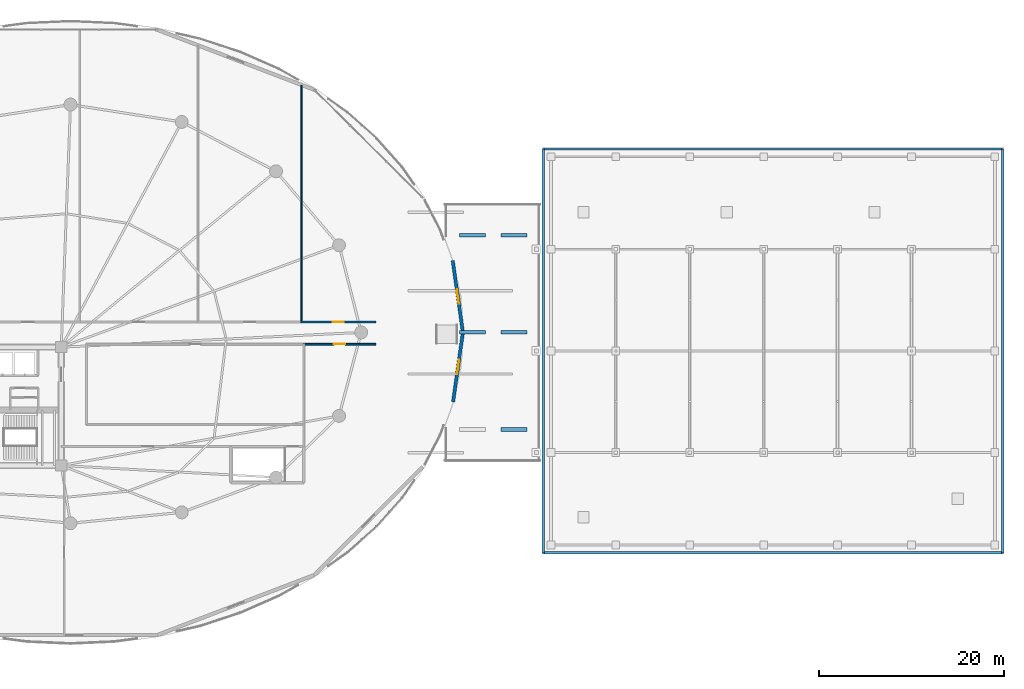
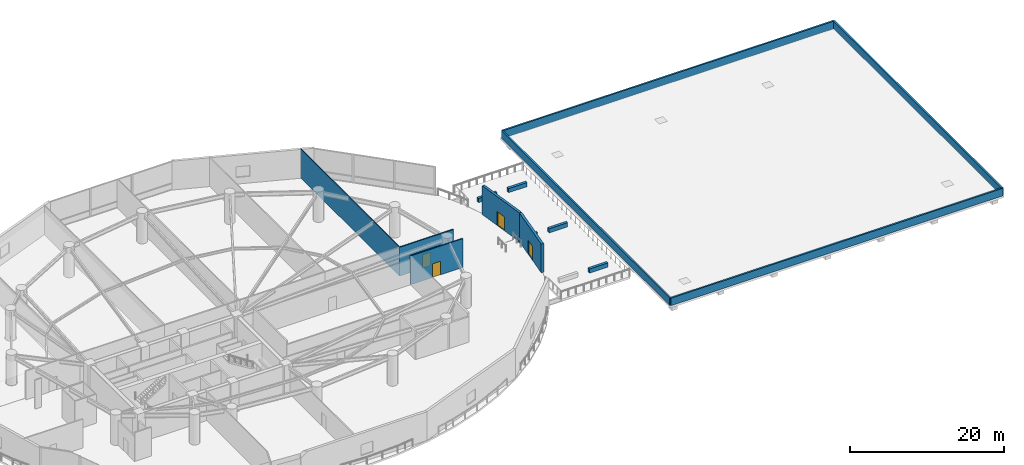
# One storey, part 19 of 26: 14 walls, 4 doors, 4 openings.
"""IFC4 building model written with IfcOpenShell, lengths in metres."""

import ifcopenshell
import ifcopenshell.guid

model = None  # the IFC model being written
_history = None  # IfcOwnerHistory: only IFC2X3 demands one
_inside = {}  # id of a spatial element -> (the spatial element, [elements in it])
_under = {}  # id of a project, library or spatial element -> (it, [spatial elements below it])
_declared = {}  # id of a project -> (the project, [libraries it declares])
_typed = {}  # id of a type object -> (the type object, [elements of that type])
_made_of = {}  # id of a material, layer set ... -> (it, [elements and type objects made of it])


def new_model(schema):
    """Start an empty IFC model of exactly this schema.

    Asked for "IFC4X3", IfcOpenShell would pick the latest addendum, in which some entities
    have other attributes; the version numbers below select the first issue.
    IFC2X3 requires an IfcOwnerHistory on every rooted entity: one is made here for all.
    """
    global model, _history
    if schema == "IFC4X3":
        model = ifcopenshell.file(schema_version=(4, 3, 0, 0))
    else:
        model = ifcopenshell.file(schema=schema)
    _inside.clear()
    _under.clear()
    _declared.clear()
    _typed.clear()
    _made_of.clear()
    _history = None
    if model.schema == "IFC2X3":
        org = make("IfcOrganization", Name="unknown")
        user = make(
            "IfcPersonAndOrganization",
            ThePerson=make("IfcPerson", FamilyName="unknown"),
            TheOrganization=org,
        )
        app = make(
            "IfcApplication",
            ApplicationDeveloper=org,
            Version="unknown",
            ApplicationFullName="unknown",
            ApplicationIdentifier="unknown",
        )
        _history = make(
            "IfcOwnerHistory",
            OwningUser=user,
            OwningApplication=app,
            ChangeAction="ADDED",
            CreationDate=0,
        )
    return model


def make(cls, **values):
    """One entity of the class cls with the attributes given. An attribute that is None is left unset."""
    return model.create_entity(
        cls, **{name: value for name, value in values.items() if value is not None}
    )


def rooted(cls, **values):
    """An entity with a GlobalId (a new one), such as an element, a storey or a relation."""
    return make(cls, GlobalId=ifcopenshell.guid.new(), OwnerHistory=_history, **values)


def si_unit(unit_type, name, prefix=None):
    """IfcSIUnit, for example si_unit("LENGTHUNIT", "METRE", prefix="MILLI")."""
    return make("IfcSIUnit", UnitType=unit_type, Prefix=prefix, Name=name)


def assignment(units):
    """IfcUnitAssignment: the units of a project."""
    return None if units is None else make("IfcUnitAssignment", Units=units)


def point(xyz):
    """IfcCartesianPoint."""
    return None if xyz is None else make("IfcCartesianPoint", Coordinates=xyz)


def direction(xyz):
    """IfcDirection."""
    return None if xyz is None else make("IfcDirection", DirectionRatios=xyz)


def frame(location, z_axis=None, x_axis=None):
    """IfcAxis2Placement3D, a coordinate frame: its origin and axes. An axis left out is left unset."""
    return make(
        "IfcAxis2Placement3D",
        Location=point(location),
        Axis=direction(z_axis),
        RefDirection=direction(x_axis),
    )


def frame_2d(location, x_axis=None):
    """IfcAxis2Placement2D, a coordinate frame in the plane: its origin and x axis."""
    return make(
        "IfcAxis2Placement2D", Location=point(location), RefDirection=direction(x_axis)
    )


def origin():
    """The frame at (0, 0, 0) with its axes left unset."""
    return frame((0.0, 0.0, 0.0))


def place(relative_to, where):
    """IfcLocalPlacement: puts the frame where relative to a parent placement (None: the world)."""
    return make(
        "IfcLocalPlacement", PlacementRelTo=relative_to, RelativePlacement=where
    )


def context(
    kind, dimensions, precision=None, world=None, true_north=None, identifier=None
):
    """IfcGeometricRepresentationContext, for example the 3D "Model" context."""
    return make(
        "IfcGeometricRepresentationContext",
        ContextIdentifier=identifier,
        ContextType=kind,
        CoordinateSpaceDimension=dimensions,
        Precision=precision,
        WorldCoordinateSystem=world,
        TrueNorth=true_north,
    )


def subcontext(parent, identifier, kind, view, scale=None):
    """IfcGeometricRepresentationSubContext, for example "Body" below "Model"."""
    return make(
        "IfcGeometricRepresentationSubContext",
        ContextIdentifier=identifier,
        ContextType=kind,
        ParentContext=parent,
        TargetScale=scale,
        TargetView=view,
    )


def project(units=None, contexts=None):
    """IfcProject with its units and contexts."""
    return rooted(
        "IfcProject",
        Name="project",
        RepresentationContexts=contexts,
        UnitsInContext=assignment(units),
    )


def spatial(cls, under=None, at=None, **own):
    """A site, building, storey or space (cls), placed at a placement, below another one or the project."""
    s = rooted(cls, ObjectPlacement=at, **own)
    if under is not None:
        _under.setdefault(under.id(), (under, []))[1].append(s)
    return s


def profile(cls, at=None, kind="AREA", **sizes):
    """A parametric profile (cls). Its sizes go by their IFC names, for example OverallWidth=200.0."""
    return make(cls, ProfileType=kind, Position=at, **sizes)


def rectangle(**sizes):
    """IfcRectangleProfileDef."""
    return profile("IfcRectangleProfileDef", **sizes)


def extrude(swept, where, along, depth):
    """IfcExtrudedAreaSolid: the profile swept, set in the frame where, extruded along a direction by depth."""
    return make(
        "IfcExtrudedAreaSolid",
        SweptArea=swept,
        Position=where,
        ExtrudedDirection=direction(along),
        Depth=depth,
    )


def shape(context_of_items, identifier, shape_type, items):
    """IfcShapeRepresentation: the items that make up one representation, for example the "Body"."""
    return make(
        "IfcShapeRepresentation",
        ContextOfItems=context_of_items,
        RepresentationIdentifier=identifier,
        RepresentationType=shape_type,
        Items=items,
    )


def material(Name=None, Category=None):
    """IfcMaterial."""
    return make("IfcMaterial", Name=Name, Category=Category)


def layer(
    of_material, thickness, ventilated=None, Name=None, Category=None, Priority=None
):
    """IfcMaterialLayer: one layer of a wall or slab, of a material (None: an air gap)."""
    return make(
        "IfcMaterialLayer",
        Material=of_material,
        LayerThickness=thickness,
        IsVentilated=ventilated,
        Name=Name,
        Category=Category,
        Priority=Priority,
    )


def layer_set(layers, Name=None):
    """IfcMaterialLayerSet."""
    return make("IfcMaterialLayerSet", MaterialLayers=layers, LayerSetName=Name)


def made_of(thing, what):
    """Note that an element or type object is made of a material, layer set ...; save() writes the relation."""
    if what is not None:
        _made_of.setdefault(what.id(), (what, []))[1].append(thing)
    return thing


def type_object(cls, material=None, **own):
    """A type object (cls), such as IfcWallType, which elements share."""
    return made_of(rooted(cls, **own), material)


def element(
    cls,
    number,
    at=None,
    inside=None,
    cuts=None,
    type_object=None,
    material=None,
    context=None,
    identifier="Body",
    shape_type=None,
    held_by="IfcProductDefinitionShape",
    body=None,
    shapes=None,
    **own,
):
    """One element of the class cls, such as IfcWall. Its Tag is "e" and its number.

    at: its placement. inside: the storey or other place that contains it. cuts: it is an
    opening in that element (IfcRelVoidsElement). A single representation is given by context,
    identifier, shape_type and body (its items); several are given by shapes. held_by: the class
    of the entity that holds the representations. save() writes the other relations.
    """
    e = rooted(cls, Tag="e%d" % number, ObjectPlacement=at, **own)
    if body is not None:
        shapes = [shape(context, identifier, shape_type, body)]
    if shapes is not None:
        e.Representation = make(held_by, Representations=shapes)
    if inside is not None:
        _inside.setdefault(inside.id(), (inside, []))[1].append(e)
    if cuts is not None:
        rooted(
            "IfcRelVoidsElement", RelatingBuildingElement=cuts, RelatedOpeningElement=e
        )
    if type_object is not None:
        _typed.setdefault(type_object.id(), (type_object, []))[1].append(e)
    return made_of(e, material)


def fill(opening, filler):
    """IfcRelFillsElement: the door or window that sits in an opening."""
    return rooted(
        "IfcRelFillsElement",
        RelatingOpeningElement=opening,
        RelatedBuildingElement=filler,
    )


def aggregate(whole, parts):
    """IfcRelAggregates: a whole, such as a stair, and the parts it consists of."""
    return rooted("IfcRelAggregates", RelatingObject=whole, RelatedObjects=parts)


def save(model, path):
    """Write the relations noted so far, then the file.

    IfcRelAggregates (storeys below a building ...), IfcRelContainedInSpatialStructure (elements
    in a storey), IfcRelDefinesByType, IfcRelAssociatesMaterial and IfcRelDeclares: one each for
    every whole, place, type object, material and project.
    """
    for whole, parts in _under.values():
        aggregate(whole, parts)
    for where, things in _inside.values():
        rooted(
            "IfcRelContainedInSpatialStructure",
            RelatedElements=things,
            RelatingStructure=where,
        )
    for kind, things in _typed.values():
        rooted("IfcRelDefinesByType", RelatedObjects=things, RelatingType=kind)
    for what, things in _made_of.values():
        rooted("IfcRelAssociatesMaterial", RelatedObjects=things, RelatingMaterial=what)
    for by, libraries in _declared.values():
        rooted("IfcRelDeclares", RelatingContext=by, RelatedDefinitions=libraries)
    model.write(path)


model = new_model("IFC4")

# Units and contexts
model_context = context("Model", 3, precision=1e-05, world=origin(), true_north=direction((0.0, 1.0)))
body_context = subcontext(model_context, "Body", "Model", "MODEL_VIEW")
ifc_project = project(units=[si_unit("LENGTHUNIT", "METRE"), si_unit("AREAUNIT", "SQUARE_METRE"), si_unit("VOLUMEUNIT", "CUBIC_METRE"), si_unit("PLANEANGLEUNIT", "RADIAN"), si_unit("MASSUNIT", "GRAM", prefix="KILO")], contexts=[model_context])

# Site, building, storey
site_placement = place(None, origin())
site = spatial("IfcSite", under=ifc_project, at=site_placement, CompositionType="ELEMENT")
building_placement = place(site_placement, origin())
building = spatial("IfcBuilding", under=site, at=building_placement, Name="Kazevale Care Tower and Concert Hall", CompositionType="ELEMENT")
storey_placement = place(building_placement, frame((0.0, 0.0, 19.199951171875)))
storey = spatial("IfcBuildingStorey", under=building, at=storey_placement, Name="L04", CompositionType="ELEMENT", Elevation=19.199951171875)

# Wall
ifc_material_1 = material(Name="Acoustic Gypsum on Steel Stud", Category="steel")
ifc_layer_1 = layer(ifc_material_1, 0.139892578125)
ifc_layer_set_1 = layer_set([ifc_layer_1], Name="Acoustic Gypsum on Steel Stud")
wall_type_1 = type_object("IfcWallType", Name="Acoustic Care & Suite Partition 140", PredefinedType="PARTITIONING", material=ifc_layer_set_1)
wall_1_placement = place(storey_placement, frame((70.0, 64.764404296875, 0.0), z_axis=(0.0, 0.0, 1.0), x_axis=(0.0, -1.0, 0.0)))
element("IfcWall", 1, at=wall_1_placement, inside=storey, type_object=wall_type_1, Name="wall:L04:auto_021", PredefinedType="PARTITIONING", context=body_context, shape_type="SweptSolid", body=[
    extrude(rectangle(XDim=25.66943359375, YDim=0.139892578125, at=frame_2d((12.834716796875, 0.0))), origin(), (0.0, 0.0, 1.0), 4.56005859375),
])

# Wall, opening, door
ifc_material_2 = material(Name="Concrete C40 and Acoustic Gypsum", Category="concrete")
ifc_layer_2 = layer(ifc_material_2, 0.179931640625)
ifc_layer_set_2 = layer_set([ifc_layer_2], Name="Concrete C40 and Acoustic Gypsum")
wall_type_2 = type_object("IfcWallType", Name="Fire-Rated Corridor & Party Wall 180", PredefinedType="PARTITIONING", material=ifc_layer_set_2)
wall_2_placement = place(storey_placement, frame((69.93505859375, 39.125, 0.0), z_axis=(0.0, 0.0, 1.0), x_axis=(1.0, 0.0, 0.0)))
wall_2 = element("IfcWall", 2, at=wall_2_placement, inside=storey, type_object=wall_type_2, Name="wall:L04:auto_006", PredefinedType="PARTITIONING", context=body_context, shape_type="SweptSolid", body=[
    extrude(rectangle(XDim=8.094970703125, YDim=0.179931640625, at=frame_2d((4.04736328125, 0.0))), origin(), (0.0, 0.0, 1.0), 4.56005859375),
])
opening_1_placement = place(wall_2_placement, frame((3.447998046875, 0.0, 0.0)))
opening_1 = element("IfcOpeningElement", 3, at=opening_1_placement, cuts=wall_2, Name="Opening ID-1200", PredefinedType="OPENING", context=body_context, shape_type="SweptSolid", body=[
    extrude(rectangle(XDim=1.199951171875, YDim=2.14990234375, at=frame_2d((0.60009765625, 1.074951171875))), frame((0.0, 0.099853515625, 0.0), z_axis=(0.0, -1.0, 0.0), x_axis=(1.0, 0.0, 0.0)), (0.0, 0.0, 1.0), 0.199951171875),
])
ifc_material_3 = material(Name="Oak Timber Fire Leaf", Category="wood")
door_type_1 = type_object("IfcDoorType", Name="Clinical & Therapy Door 1200x2150", OperationType="NOTDEFINED", PredefinedType="DOOR", material=ifc_material_3)
door_1_placement = place(opening_1_placement, origin())
door_1 = element("IfcDoor", 4, at=door_1_placement, inside=storey, type_object=door_type_1, Name="door:L04:ad_006", OperationType="SINGLE_SWING_LEFT", OverallHeight=2.14990234375, OverallWidth=1.199951171875, PredefinedType="DOOR", context=body_context, shape_type="SweptSolid", body=[
    extrude(rectangle(XDim=1.199951171875, YDim=2.14990234375, at=frame_2d((0.60009765625, 1.074951171875))), frame((0.0, 0.02490234375, 0.0), z_axis=(0.0, -1.0, 0.0), x_axis=(1.0, 0.0, 0.0)), (0.0, 0.0, 1.0), 0.050048828125),
])
fill(opening_1, door_1)

wall_3_placement = place(storey_placement, frame((78.030029296875, 36.72509765625, 0.0), z_axis=(0.0, 0.0, 1.0), x_axis=(-1.0, 0.0, 0.0)))
wall_3 = element("IfcWall", 5, at=wall_3_placement, inside=storey, type_object=wall_type_2, Name="wall:L04:auto_011", PredefinedType="PARTITIONING", context=body_context, shape_type="SweptSolid", body=[
    extrude(rectangle(XDim=7.844970703125, YDim=0.179931640625, at=frame_2d((3.92236328125, 0.0))), origin(), (0.0, 0.0, 1.0), 4.56005859375),
])
opening_2_placement = place(wall_3_placement, frame((3.322021484375, 0.0, 0.0)))
opening_2 = element("IfcOpeningElement", 6, at=opening_2_placement, cuts=wall_3, Name="Opening ID-1200", PredefinedType="OPENING", context=body_context, shape_type="SweptSolid", body=[
    extrude(rectangle(XDim=1.199951171875, YDim=2.14990234375, at=frame_2d((0.60009765625, 1.074951171875))), frame((0.0, 0.099853515625, 0.0), z_axis=(0.0, -1.0, 0.0), x_axis=(1.0, 0.0, 0.0)), (0.0, 0.0, 1.0), 0.199951171875),
])
door_2_placement = place(opening_2_placement, origin())
door_2 = element("IfcDoor", 7, at=door_2_placement, inside=storey, type_object=door_type_1, Name="door:L04:ad_011", OperationType="SINGLE_SWING_LEFT", OverallHeight=2.14990234375, OverallWidth=1.199951171875, PredefinedType="DOOR", context=body_context, shape_type="SweptSolid", body=[
    extrude(rectangle(XDim=1.199951171875, YDim=2.14990234375, at=frame_2d((0.60009765625, 1.074951171875))), frame((0.0, 0.02490234375, 0.0), z_axis=(0.0, -1.0, 0.0), x_axis=(1.0, 0.0, 0.0)), (0.0, 0.0, 1.0), 0.050048828125),
])
fill(opening_2, door_2)

ifc_material_4 = material(Name="Concrete C40 with Honed Limestone Cladding", Category="masonry")
ifc_layer_3 = layer(ifc_material_4, 0.360107421875)
ifc_layer_set_3 = layer_set([ifc_layer_3], Name="Concrete C40 with Honed Limestone Cladding")
wall_type_3 = type_object("IfcWallType", Name="Podium Insulated Limestone Wall 360", PredefinedType="STANDARD", material=ifc_layer_set_3)
wall_4_placement = place(storey_placement, frame((87.4599609375, 38.0, 0.0), z_axis=(0.0, 0.0, 1.0), x_axis=(-0.140323571821, 0.990105699, 0.0)))
wall_4 = element("IfcWall", 8, at=wall_4_placement, inside=storey, type_object=wall_type_3, Name="wall:L04:podew:01", PredefinedType="STANDARD", context=body_context, shape_type="SweptSolid", body=[
    extrude(rectangle(XDim=7.8466796875, YDim=0.360107421875, at=frame_2d((3.92333984375, 0.0))), origin(), (0.0, 0.0, 1.0), 4.56005859375),
])
opening_3_placement = place(wall_4_placement, frame((3.123046875, 0.0, 0.0)))
opening_3 = element("IfcOpeningElement", 9, at=opening_3_placement, cuts=wall_4, Name="Opening GD-1600", PredefinedType="OPENING", context=body_context, shape_type="SweptSolid", body=[
    extrude(rectangle(XDim=1.60009765625, YDim=2.199951171875, at=frame_2d((0.800048828125, 1.10009765625))), frame((0.0, 0.18994140625, 0.0), z_axis=(0.0, -1.0, 0.0), x_axis=(1.0, 0.0, 0.0)), (0.0, 0.0, 1.0), 0.380126953125),
])
ifc_material_5 = material(Name="Aluminium 6063-T6 and Low-E Glass", Category="aluminium")
door_type_2 = type_object("IfcDoorType", Name="Raised Garden Terrace Double Door 1600x2200", OperationType="NOTDEFINED", PredefinedType="DOOR", material=ifc_material_5)
door_3_placement = place(opening_3_placement, origin())
door_3 = element("IfcDoor", 10, at=door_3_placement, inside=storey, type_object=door_type_2, Name="door:L04:GD-01", OperationType="DOUBLE_DOOR_SINGLE_SWING", OverallHeight=2.199951171875, OverallWidth=1.60009765625, PredefinedType="DOOR", context=body_context, shape_type="SweptSolid", body=[
    extrude(rectangle(XDim=1.60009765625, YDim=2.199951171875, at=frame_2d((0.800048828125, 1.10009765625))), frame((0.0, 0.02490234375, 0.0), z_axis=(0.0, -1.0, 0.0), x_axis=(1.0, 0.0, 0.0)), (0.0, 0.0, 1.0), 0.050048828125),
])
fill(opening_3, door_3)

wall_5_placement = place(storey_placement, frame((86.39501953125, 30.488037109375, 0.0), z_axis=(0.0, 0.0, 1.0), x_axis=(0.140362602825, 0.990100166513, 0.0)))
wall_5 = element("IfcWall", 11, at=wall_5_placement, inside=storey, type_object=wall_type_3, Name="wall:L04:podew:14", PredefinedType="STANDARD", context=body_context, shape_type="SweptSolid", body=[
    extrude(rectangle(XDim=7.587158203125, YDim=0.360107421875, at=frame_2d((3.79345703125, 0.0))), origin(), (0.0, 0.0, 1.0), 4.56005859375),
])
opening_4_placement = place(wall_5_placement, frame((2.993896484375, 0.0, 0.0)))
opening_4 = element("IfcOpeningElement", 12, at=opening_4_placement, cuts=wall_5, Name="Opening GD-1600", PredefinedType="OPENING", context=body_context, shape_type="SweptSolid", body=[
    extrude(rectangle(XDim=1.60009765625, YDim=2.199951171875, at=frame_2d((0.800048828125, 1.10009765625))), frame((0.0, 0.18994140625, 0.0), z_axis=(0.0, -1.0, 0.0), x_axis=(1.0, 0.0, 0.0)), (0.0, 0.0, 1.0), 0.380126953125),
])
door_4_placement = place(opening_4_placement, origin())
door_4 = element("IfcDoor", 13, at=door_4_placement, inside=storey, type_object=door_type_2, Name="door:L04:GD-02", OperationType="DOUBLE_DOOR_SINGLE_SWING", OverallHeight=2.199951171875, OverallWidth=1.60009765625, PredefinedType="DOOR", context=body_context, shape_type="SweptSolid", body=[
    extrude(rectangle(XDim=1.60009765625, YDim=2.199951171875, at=frame_2d((0.800048828125, 1.10009765625))), frame((0.0, 0.02490234375, 0.0), z_axis=(0.0, -1.0, 0.0), x_axis=(1.0, 0.0, 0.0)), (0.0, 0.0, 1.0), 0.050048828125),
])
fill(opening_4, door_4)

# Walls
ifc_layer_4 = layer(ifc_material_4, 0.25)
ifc_layer_set_4 = layer_set([ifc_layer_4], Name="Concrete C40 with Honed Limestone Cladding")
wall_type_4 = type_object("IfcWallType", Name="Roof Limestone Parapet Wall 250", PredefinedType="PARAPET", material=ifc_layer_set_4)
wall_6_placement = place(storey_placement, frame((96.14990234375, 14.14990234375, 1.300048828125), z_axis=(0.0, 0.0, 1.0), x_axis=(1.0, 0.0, 0.0)))
element("IfcWall", 14, at=wall_6_placement, inside=storey, type_object=wall_type_4, Name="wall:L04:hall_par:1", PredefinedType="PARAPET", context=body_context, shape_type="SweptSolid", body=[
    extrude(rectangle(XDim=49.7001953125, YDim=0.25, at=frame_2d((24.85009765625, 0.0))), origin(), (0.0, 0.0, 1.0), 1.199951171875),
])
wall_7_placement = place(storey_placement, frame((145.85009765625, 14.14990234375, 1.300048828125), z_axis=(0.0, 0.0, 1.0), x_axis=(0.0, 1.0, 0.0)))
element("IfcWall", 15, at=wall_7_placement, inside=storey, type_object=wall_type_4, Name="wall:L04:hall_par:2", PredefinedType="PARAPET", context=body_context, shape_type="SweptSolid", body=[
    extrude(rectangle(XDim=43.7001953125, YDim=0.25, at=frame_2d((21.85009765625, 0.0))), origin(), (0.0, 0.0, 1.0), 1.199951171875),
])
wall_8_placement = place(storey_placement, frame((145.85009765625, 57.85009765625, 1.300048828125), z_axis=(0.0, 0.0, 1.0), x_axis=(-1.0, 0.0, 0.0)))
element("IfcWall", 16, at=wall_8_placement, inside=storey, type_object=wall_type_4, Name="wall:L04:hall_par:3", PredefinedType="PARAPET", context=body_context, shape_type="SweptSolid", body=[
    extrude(rectangle(XDim=49.7001953125, YDim=0.25, at=frame_2d((24.85009765625, 0.0))), origin(), (0.0, 0.0, 1.0), 1.199951171875),
])
wall_9_placement = place(storey_placement, frame((96.14990234375, 57.85009765625, 1.300048828125), z_axis=(0.0, 0.0, 1.0), x_axis=(0.0, -1.0, 0.0)))
element("IfcWall", 17, at=wall_9_placement, inside=storey, type_object=wall_type_4, Name="wall:L04:hall_par:4", PredefinedType="PARAPET", context=body_context, shape_type="SweptSolid", body=[
    extrude(rectangle(XDim=43.7001953125, YDim=0.25, at=frame_2d((21.85009765625, 0.0))), origin(), (0.0, 0.0, 1.0), 1.199951171875),
])
ifc_material_6 = material(Name="Honed Ochre Limestone", Category="masonry")
ifc_layer_5 = layer(ifc_material_6, 0.39990234375)
ifc_layer_set_5 = layer_set([ifc_layer_5], Name="Honed Ochre Limestone")
wall_type_5 = type_object("IfcWallType", Name="Shakkei Garden Stone Planter Wall", PredefinedType="USERDEFINED", material=ifc_layer_set_5)
for number, where, z_axis, x_axis, name in (
    (18, (91.60009765625, 27.5, 0.0), (0.0, 0.0, 1.0), (1.0, 0.0, 0.0), "planter:L04:2"),
    (19, (87.10009765625, 38.0, 0.0), (0.0, 0.0, 1.0), (1.0, 0.0, 0.0), "planter:L04:3"),
    (20, (91.60009765625, 38.0, 0.0), (0.0, 0.0, 1.0), (1.0, 0.0, 0.0), "planter:L04:4"),
    (21, (87.10009765625, 48.5, 0.0), (0.0, 0.0, 1.0), (1.0, 0.0, 0.0), "planter:L04:5"),
    (22, (91.60009765625, 48.5, 0.0), (0.0, 0.0, 1.0), (1.0, 0.0, 0.0), "planter:L04:6"),
):
    element("IfcWall", number, at=place(storey_placement, frame(where, z_axis=z_axis, x_axis=x_axis)), inside=storey, type_object=wall_type_5, Name=name, ObjectType="PLANTER", PredefinedType="USERDEFINED", context=body_context, shape_type="SweptSolid", body=[
        extrude(rectangle(XDim=2.7998046875, YDim=0.39990234375, at=frame_2d((1.39990234375, 0.0))), origin(), (0.0, 0.0, 1.0), 0.650146484375),
    ])

save(model, "model.ifc")
